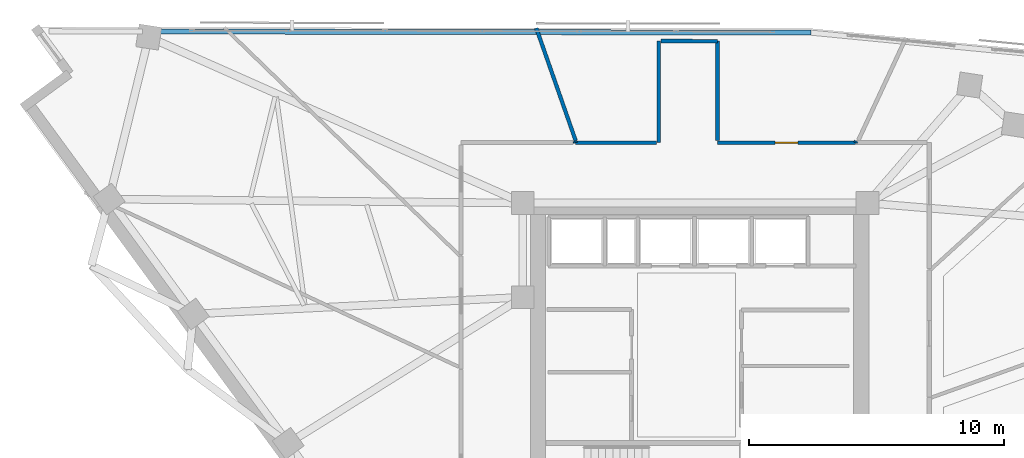
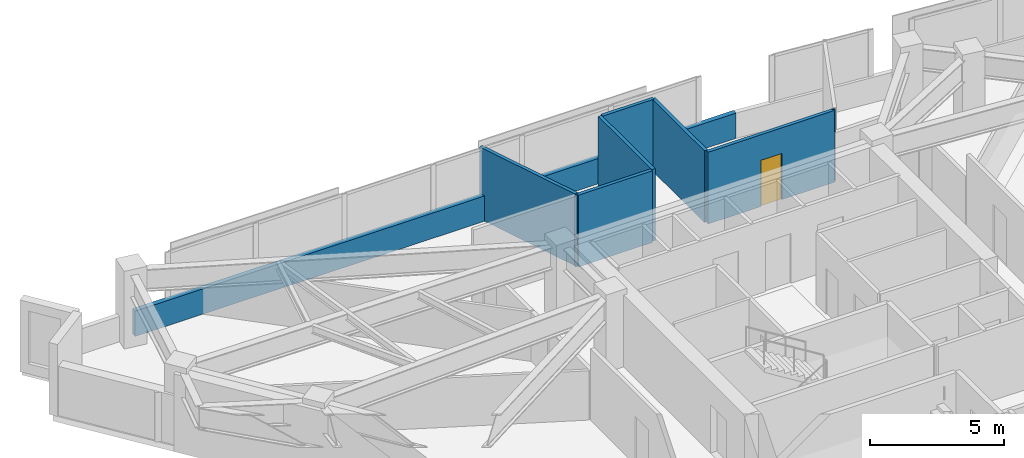
# One storey, part 10 of 14: 9 walls, 1 door, 1 opening.
"""IFC4 building model written with IfcOpenShell, lengths in metres."""

from ifc_helpers import new_model, si_unit, direction, frame, frame_2d, origin, place, context, subcontext, project, spatial, rectangle, extrude, material, layer, layer_set, type_object, element, fill, save


model = new_model("IFC4")

# Units and contexts
model_context = context("Model", 3, precision=1e-05, world=origin(), true_north=direction((0.0, 1.0)))
body_context = subcontext(model_context, "Body", "Model", "MODEL_VIEW")
ifc_project = project(units=[si_unit("LENGTHUNIT", "METRE"), si_unit("AREAUNIT", "SQUARE_METRE"), si_unit("VOLUMEUNIT", "CUBIC_METRE"), si_unit("PLANEANGLEUNIT", "RADIAN"), si_unit("MASSUNIT", "GRAM", prefix="KILO")], contexts=[model_context])

# Site, building, storey
site_placement = place(None, origin())
site = spatial("IfcSite", under=ifc_project, at=site_placement, CompositionType="ELEMENT")
building_placement = place(site_placement, origin())
building = spatial("IfcBuilding", under=site, at=building_placement, Name="Narakoshi Arena Tower", CompositionType="ELEMENT")
storey_placement = place(building_placement, frame((0.0, 0.0, 260.739990234375)))
storey = spatial("IfcBuildingStorey", under=building, at=storey_placement, Name="L71", CompositionType="ELEMENT", Elevation=260.739990234375)

# Wall
ifc_material_1 = material(Name="Precast concrete C45/55", Category="concrete")
ifc_layer_1 = layer(ifc_material_1, 0.25)
ifc_layer_set_1 = layer_set([ifc_layer_1], Name="Precast concrete C45/55")
wall_type_1 = type_object("IfcWallType", Name="WL-PARA-250", PredefinedType="PARAPET", material=ifc_layer_set_1)
wall_1_placement = place(storey_placement, frame((83.332275390625, 63.193359375, 0.0), z_axis=(0.0, 0.0, 1.0), x_axis=(-0.999998363757, 0.001809000383, 0.0)))
element("IfcWall", 1, at=wall_1_placement, inside=storey, type_object=wall_type_1, Name="L71 Hypotenuse Sill Upstand Parapet 2-01", PredefinedType="PARAPET", context=body_context, shape_type="SweptSolid", body=[
    extrude(rectangle(XDim=25.777099609375, YDim=0.199951171875, at=frame_2d((12.888671875, 0.0))), origin(), (0.0, 0.0, 1.0), 1.14990234375),
])

# Wall, opening, door
ifc_material_2 = material(Name="Moisture-resistant cement-board partition")
ifc_layer_2 = layer(ifc_material_2, 0.14501953125)
ifc_layer_set_2 = layer_set([ifc_layer_2], Name="Moisture-resistant cement-board partition")
wall_type_2 = type_object("IfcWallType", Name="WL-WET-145", PredefinedType="PARTITIONING", material=ifc_layer_set_2)
wall_2_placement = place(storey_placement, frame((85.07470703125, 58.872314453125, 0.0), z_axis=(0.0, 0.0, 1.0), x_axis=(-1.0, 0.0, 0.0)))
wall_2 = element("IfcWall", 2, at=wall_2_placement, inside=storey, type_object=wall_type_2, Name="L71 Corridor Partition 06-1", PredefinedType="PARTITIONING", context=body_context, shape_type="SweptSolid", body=[
    extrude(rectangle(XDim=5.4248046875, YDim=0.14501953125, at=frame_2d((2.71240234375, 0.0))), origin(), (0.0, 0.0, 1.0), 3.260009765625),
])
opening_placement = place(wall_2_placement, frame((2.26220703125, 0.0, 0.0)))
opening = element("IfcOpeningElement", 3, at=opening_placement, cuts=wall_2, Name="Opening D-08", PredefinedType="OPENING", context=body_context, shape_type="SweptSolid", body=[
    extrude(rectangle(XDim=0.89990234375, YDim=2.10009765625, at=frame_2d((0.449951171875, 1.050048828125))), frame((0.0, 0.08251953125, 0.0), z_axis=(0.0, -1.0, 0.0), x_axis=(1.0, 0.0, 0.0)), (0.0, 0.0, 1.0), 0.1650390625),
])
ifc_material_3 = material(Name="Moisture-resistant laminate timber", Category="wood")
door_type = type_object("IfcDoorType", Name="DR-WC-900", OperationType="NOTDEFINED", PredefinedType="DOOR", material=ifc_material_3)
door_placement = place(opening_placement, frame((0.89990234375, 0.0, 0.0), z_axis=(0.0, 0.0, 1.0), x_axis=(-1.0, 0.0, 0.0)))
door = element("IfcDoor", 4, at=door_placement, inside=storey, type_object=door_type, Name="DR-L71-022", OperationType="SINGLE_SWING_LEFT", OverallHeight=2.10009765625, OverallWidth=0.89990234375, PredefinedType="DOOR", context=body_context, shape_type="SweptSolid", body=[
    extrude(rectangle(XDim=0.89990234375, YDim=2.10009765625, at=frame_2d((0.449951171875, 1.050048828125))), frame((0.0, 0.02490234375, 0.0), z_axis=(0.0, -1.0, 0.0), x_axis=(1.0, 0.0, 0.0)), (0.0, 0.0, 1.0), 0.050048828125),
])
fill(opening, door)

# Walls
wall_3_placement = place(storey_placement, frame((77.35009765625, 62.8642578125, 0.0), z_axis=(0.0, 0.0, 1.0), x_axis=(0.0, -1.0, 0.0)))
element("IfcWall", 5, at=wall_3_placement, inside=storey, type_object=wall_type_2, Name="L71 Corridor Partition 06-2", PredefinedType="PARTITIONING", context=body_context, shape_type="SweptSolid", body=[
    extrude(rectangle(XDim=3.991943359375, YDim=0.14501953125, at=frame_2d((1.99609375, 0.0))), origin(), (0.0, 0.0, 1.0), 3.260009765625),
])
wall_4_placement = place(storey_placement, frame((79.64990234375, 58.956787109375, 0.0), z_axis=(0.0, 0.0, 1.0), x_axis=(0.0, 1.0, 0.0)))
element("IfcWall", 6, at=wall_4_placement, inside=storey, type_object=wall_type_2, Name="L71 Corridor Partition 06-3", PredefinedType="PARTITIONING", context=body_context, shape_type="SweptSolid", body=[
    extrude(rectangle(XDim=3.9033203125, YDim=0.14501953125, at=frame_2d((1.95166015625, 0.0))), origin(), (0.0, 0.0, 1.0), 3.260009765625),
])
wall_5_placement = place(storey_placement, frame((77.265380859375, 58.872314453125, 0.0), z_axis=(0.0, 0.0, 1.0), x_axis=(-1.0, 0.0, 0.0)))
element("IfcWall", 7, at=wall_5_placement, inside=storey, type_object=wall_type_2, Name="L71 Corridor Partition 06-4", PredefinedType="PARTITIONING", context=body_context, shape_type="SweptSolid", body=[
    extrude(rectangle(XDim=3.191650390625, YDim=0.14501953125, at=frame_2d((1.595703125, 0.0))), origin(), (0.0, 0.0, 1.0), 3.260009765625),
])
wall_6_placement = place(storey_placement, frame((79.64990234375, 62.860107421875, 0.0), z_axis=(0.0, 0.0, 1.0), x_axis=(-0.999998445426, 0.001763276959, 0.0)))
element("IfcWall", 8, at=wall_6_placement, inside=storey, type_object=wall_type_2, Name="L71 Corridor Partition 06-5", PredefinedType="PARTITIONING", context=body_context, shape_type="SweptSolid", body=[
    extrude(rectangle(XDim=2.21533203125, YDim=0.14501953125, at=frame_2d((1.107666015625, 0.0))), origin(), (0.0, 0.0, 1.0), 3.260009765625),
])
wall_7_placement = place(storey_placement, frame((85.101318359375, 58.92822265625, 0.0), z_axis=(0.0, 0.0, 1.0), x_axis=(-0.429780521069, -0.902933388301, 0.0)))
element("IfcWall", 9, at=wall_7_placement, inside=storey, type_object=wall_type_2, Name="L71 Corridor Partition 06-6", PredefinedType="PARTITIONING", context=body_context, shape_type="SweptSolid", body=[
    extrude(rectangle(XDim=0.06201171875, YDim=0.14501953125, at=frame_2d((0.031005859375, 0.0))), origin(), (0.0, 0.0, 1.0), 3.260009765625),
])
wall_8_placement = place(storey_placement, frame((74.07373046875, 58.872314453125, 0.0), z_axis=(0.0, 0.0, 1.0), x_axis=(-0.338039253159, 0.941132011635, 0.0)))
element("IfcWall", 10, at=wall_8_placement, inside=storey, type_object=wall_type_2, Name="L71 Corridor Partition 06-7", PredefinedType="PARTITIONING", context=body_context, shape_type="SweptSolid", body=[
    extrude(rectangle(XDim=0.0634765625, YDim=0.14501953125, at=frame_2d((0.03173828125, 0.0))), origin(), (0.0, 0.0, 1.0), 3.260009765625),
])
wall_9_placement = place(storey_placement, frame((74.07861328125, 58.956787109375, 0.0), z_axis=(0.0, 0.0, 1.0), x_axis=(-0.330266744541, 0.943887640268, 0.0)))
element("IfcWall", 11, at=wall_9_placement, inside=storey, type_object=wall_type_2, Name="L71 Inter-Room Partition 06-08", PredefinedType="PARTITIONING", context=body_context, shape_type="SweptSolid", body=[
    extrude(rectangle(XDim=4.678466796875, YDim=0.14501953125, at=frame_2d((2.33935546875, 0.0))), origin(), (0.0, 0.0, 1.0), 3.260009765625),
])

save(model, "model.ifc")
